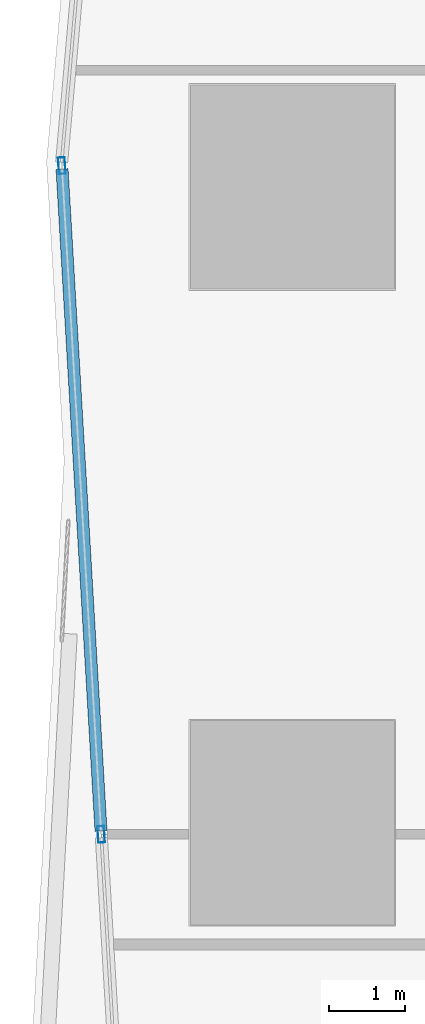
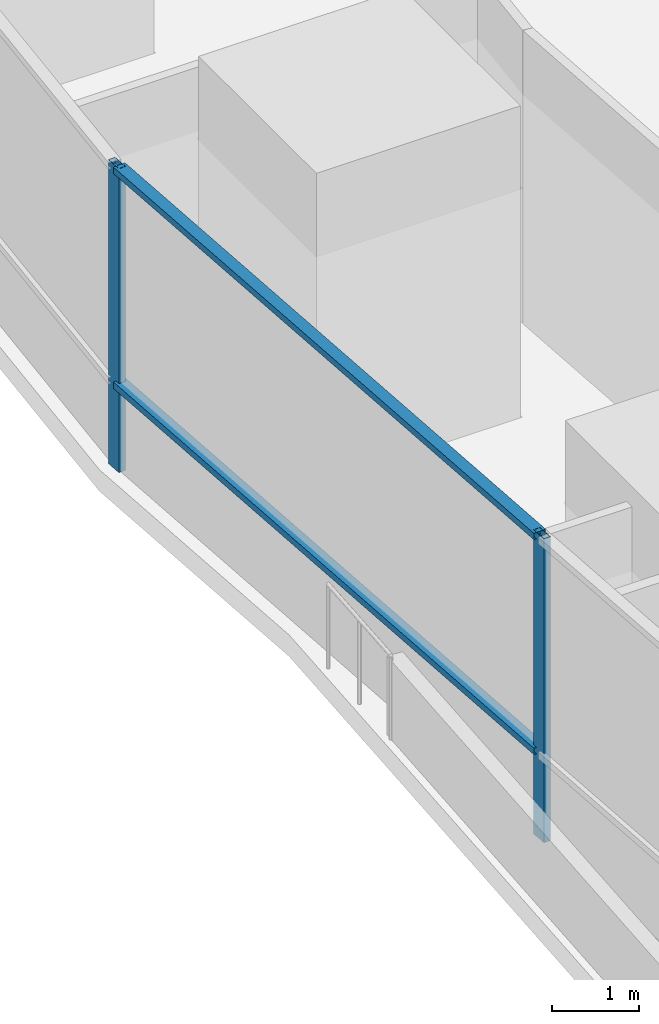
# One storey, part 4 of 39: 4 members, 1 element without a shape of its own.
"""IFC4 building model written with IfcOpenShell, lengths in metres."""

from ifc_helpers import new_model, si_unit, direction, frame, origin, origin_2d, place, context, subcontext, project, spatial, hollow_rectangle, extrude, material, material_profile, profile_set, type_object, element, aggregate, save


model = new_model("IFC4")

# Units and contexts
model_context = context("Model", 3, precision=1e-05, world=origin(), true_north=direction((0.0, 1.0)))
body_context = subcontext(model_context, "Body", "Model", "MODEL_VIEW")
ifc_project = project(units=[si_unit("LENGTHUNIT", "METRE"), si_unit("AREAUNIT", "SQUARE_METRE"), si_unit("VOLUMEUNIT", "CUBIC_METRE"), si_unit("PLANEANGLEUNIT", "RADIAN"), si_unit("MASSUNIT", "GRAM", prefix="KILO")], contexts=[model_context])

# Site, building, storey
site_placement = place(None, origin())
site = spatial("IfcSite", under=ifc_project, at=site_placement, CompositionType="ELEMENT")
building_placement = place(site_placement, origin())
building = spatial("IfcBuilding", under=site, at=building_placement, Name="Rekha Terrace Tower", CompositionType="ELEMENT")
storey_placement = place(building_placement, frame((0.0, 0.0, 168.199951171875)))
storey = spatial("IfcBuildingStorey", under=building, at=storey_placement, Name="L42", CompositionType="ELEMENT", Elevation=168.199951171875)

# Curtain wall, members
ifc_material_1 = material(Name="Aluminium framing", Category="aluminium")
curtain_wall_type = type_object("IfcCurtainWallType", Name="CW5 sky garden glazing", PredefinedType="USERDEFINED", material=ifc_material_1)
curtain_wall_placement = place(storey_placement, origin())
curtain_wall = element("IfcCurtainWall", 1, at=curtain_wall_placement, inside=storey, type_object=curtain_wall_type, Name="CW5 sky garden curtain wall", ObjectType="SKY GARDEN CURTAIN WALL", PredefinedType="USERDEFINED")
ifc_material_2 = material(Name="Aluminium mullion section", Category="aluminium")
ifc_material_profile_1 = material_profile(ifc_material_2, hollow_rectangle(XDim=0.090087890625, YDim=0.219970703125, WallThickness=0.00390625, at=origin_2d()), Name="AL RHS 90x220")
ifc_profile_set_1 = profile_set([ifc_material_profile_1], Name="Aluminium mullion section")
member_type_1 = type_object("IfcMemberType", Name="CW5 mullion RHS 90 x 220", PredefinedType="MULLION", material=ifc_profile_set_1)
member_1_placement = place(storey_placement, frame((5.353271484375, 42.2822265625, 0.0), z_axis=(0.0, 0.0, 1.0), x_axis=(0.99827183927, 0.058765082499, 0.0)))
member_1 = element("IfcMember", 2, at=member_1_placement, type_object=member_type_1, Name="CW5 mullion 1", PredefinedType="MULLION", context=body_context, shape_type="SweptSolid", body=[
    extrude(hollow_rectangle(XDim=0.090087890625, YDim=0.219970703125, WallThickness=0.00390625, at=origin_2d()), origin(), (0.0, 0.0, 1.0), 4.25),
])
member_2_placement = place(storey_placement, frame((5.873291015625, 33.4453125, 0.0), z_axis=(0.0, 0.0, 1.0), x_axis=(0.99827183927, 0.058765082499, 0.0)))
member_2 = element("IfcMember", 3, at=member_2_placement, type_object=member_type_1, Name="CW5 mullion 2", PredefinedType="MULLION", context=body_context, shape_type="SweptSolid", body=[
    extrude(hollow_rectangle(XDim=0.090087890625, YDim=0.219970703125, WallThickness=0.00390625, at=origin_2d()), origin(), (0.0, 0.0, 1.0), 4.25),
])
ifc_material_3 = material(Name="Aluminium transom section", Category="aluminium")
ifc_material_profile_2 = material_profile(ifc_material_3, hollow_rectangle(XDim=0.159912109375, YDim=0.090087890625, WallThickness=0.0029296875, at=origin_2d()), Name="AL RHS 160x90")
ifc_profile_set_2 = profile_set([ifc_material_profile_2], Name="Aluminium transom section")
member_type_2 = type_object("IfcMemberType", Name="CW5 transom RHS 90 x 160", PredefinedType="USERDEFINED", material=ifc_profile_set_2)
member_3_placement = place(storey_placement, frame((5.355712890625, 42.2373046875, 1.199951171875), z_axis=(0.058762855462, -0.998271970366, 0.0), x_axis=(0.998271970366, 0.058762855462, 0.0)))
member_3 = element("IfcMember", 4, at=member_3_placement, type_object=member_type_2, Name="CW5 transom 1.2", ObjectType="TRANSOM", PredefinedType="USERDEFINED", context=body_context, shape_type="SweptSolid", body=[
    extrude(hollow_rectangle(XDim=0.159912109375, YDim=0.090087890625, WallThickness=0.0029296875, at=origin_2d()), origin(), (0.0, 0.0, 1.0), 8.76220703125),
])
member_4_placement = place(storey_placement, frame((5.355712890625, 42.2373046875, 4.205078125), z_axis=(0.058762855462, -0.998271970366, 0.0), x_axis=(0.998271970366, 0.058762855462, 0.0)))
member_4 = element("IfcMember", 5, at=member_4_placement, type_object=member_type_2, Name="CW5 transom 1.3", ObjectType="TRANSOM", PredefinedType="USERDEFINED", context=body_context, shape_type="SweptSolid", body=[
    extrude(hollow_rectangle(XDim=0.159912109375, YDim=0.090087890625, WallThickness=0.0029296875, at=origin_2d()), origin(), (0.0, 0.0, 1.0), 8.76220703125),
])
aggregate(curtain_wall, [member_1, member_2, member_3, member_4])

save(model, "model.ifc")
